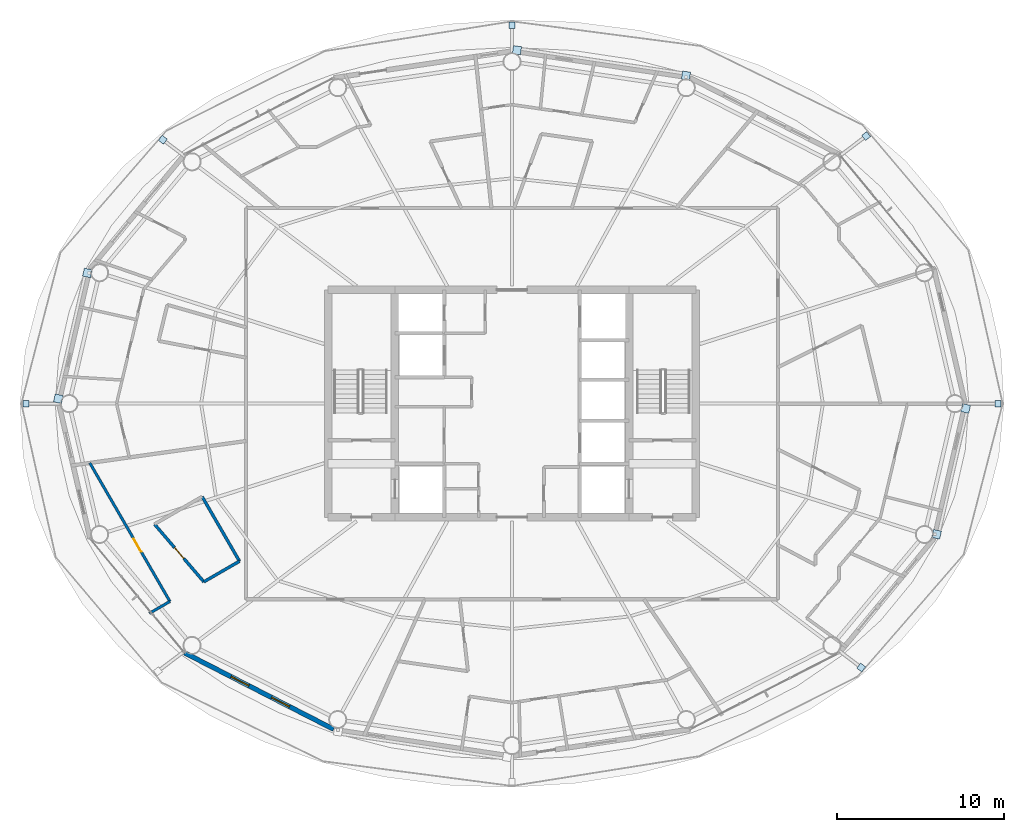
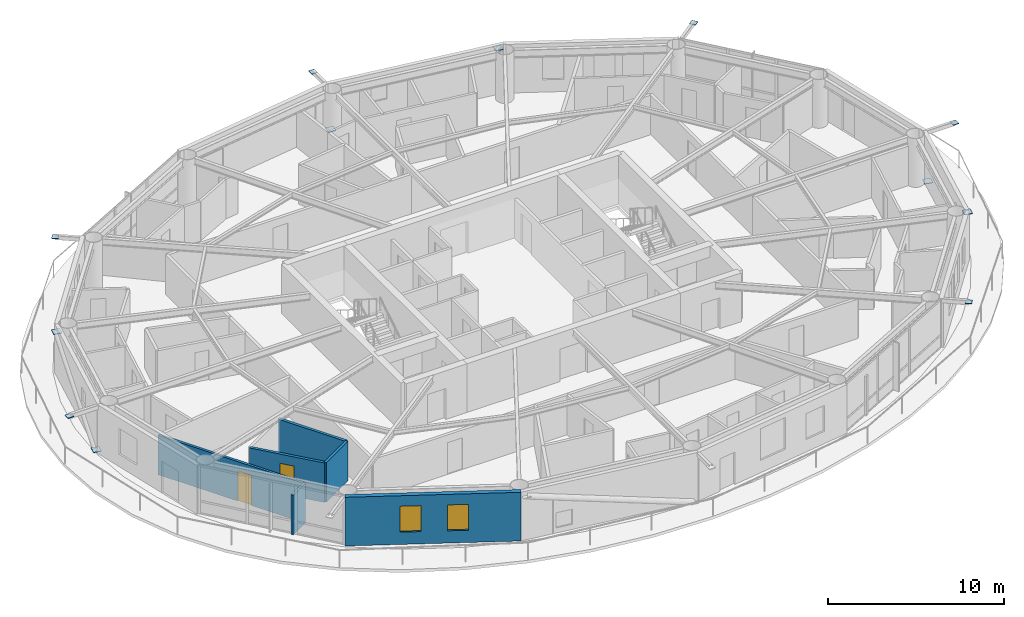
# One storey, part 19 of 28: 12 plates, 6 walls, 2 doors, 2 windows, 4 openings.
"""IFC4 building model written with IfcOpenShell, lengths in metres."""

from ifc_helpers import new_model, si_unit, direction, frame, frame_2d, origin, origin_2d, place, context, subcontext, project, spatial, rectangle, extrude, material, layer, layer_set, type_object, element, fill, save


model = new_model("IFC4")

# Units and contexts
model_context = context("Model", 3, precision=1e-05, world=origin(), true_north=direction((0.0, 1.0)))
body_context = subcontext(model_context, "Body", "Model", "MODEL_VIEW")
ifc_project = project(units=[si_unit("LENGTHUNIT", "METRE"), si_unit("AREAUNIT", "SQUARE_METRE"), si_unit("VOLUMEUNIT", "CUBIC_METRE"), si_unit("PLANEANGLEUNIT", "RADIAN"), si_unit("MASSUNIT", "GRAM", prefix="KILO")], contexts=[model_context])

# Site, building, storey
site_placement = place(None, origin())
site = spatial("IfcSite", under=ifc_project, at=site_placement, CompositionType="ELEMENT")
building_placement = place(site_placement, origin())
building = spatial("IfcBuilding", under=site, at=building_placement, Name="Sarneth Arch Tower", CompositionType="ELEMENT")
storey_placement = place(building_placement, frame((0.0, 0.0, 172.199951171875)))
storey = spatial("IfcBuildingStorey", under=building, at=storey_placement, Name="L43", CompositionType="ELEMENT", Elevation=172.199951171875)

# Plates
ifc_material_1 = material(Name="Steel S355", Category="steel")
ifc_layer_1 = layer(ifc_material_1, 0.035888671875)
ifc_layer_set_1 = layer_set([ifc_layer_1], Name="Steel S355")
plate_type = type_object("IfcPlateType", Name="PLT-GUSSET-30", PredefinedType="SHEET", material=ifc_layer_set_1)
for number, where, z_axis, x_axis, name in (
    (1, (77.06640625, 42.0, 3.2021484375), (0.0, 0.0, 1.0), (1.0, 0.0, 0.0), "Steel end cap plate GP-1"),
    (2, (69.17529296875, 58.003173828125, 3.2021484375), (0.0, 0.0, 1.0), (0.797794439539, 0.602929541689, 0.0), "Steel end cap plate GP-1"),
):
    element("IfcPlate", number, at=place(storey_placement, frame(where, z_axis=z_axis, x_axis=x_axis)), inside=storey, type_object=plate_type, Name=name, PredefinedType="SHEET", context=body_context, shape_type="SweptSolid", body=[
        extrude(rectangle(XDim=0.3798828125, YDim=0.3798828125, at=origin_2d()), origin(), (0.0, 0.0, 1.0), 0.035888671875),
    ])
for number, where, z_axis, x_axis, name in (
    (3, (48.296630859375, 63.13525390625, 0.001953125), (0.0, 0.0, 1.0), (-0.98883454203, 0.149017611339, 0.0), "Steel end cap plate GP-1"),
    (4, (58.404296875, 61.612548828125, 3.03271484375), (0.0, 0.0, 1.0), (-0.98883454203, 0.149017611339, 0.0), "Steel end cap plate GP-1"),
):
    element("IfcPlate", number, at=place(storey_placement, frame(where, z_axis=z_axis, x_axis=x_axis)), inside=storey, type_object=plate_type, Name=name, PredefinedType="SHEET", context=body_context, shape_type="SweptSolid", body=[
        extrude(rectangle(XDim=0.486083984375, YDim=0.486083984375, at=origin_2d()), origin(), (0.0, 0.0, 1.0), 0.035888671875),
    ])
for number, where, z_axis, x_axis, name in (
    (5, (48.0, 64.62060546875, 3.2021484375), (0.0, 0.0, 1.0), (0.0, 1.0, 0.0), "Steel end cap plate GP-1"),
    (6, (27.1181640625, 57.78125, 3.2021484375), (0.0, 0.0, 1.0), (-0.797794439539, 0.602929541689, 0.0), "Steel end cap plate GP-1"),
):
    element("IfcPlate", number, at=place(storey_placement, frame(where, z_axis=z_axis, x_axis=x_axis)), inside=storey, type_object=plate_type, Name=name, PredefinedType="SHEET", context=body_context, shape_type="SweptSolid", body=[
        extrude(rectangle(XDim=0.3798828125, YDim=0.3798828125, at=origin_2d()), origin(), (0.0, 0.0, 1.0), 0.035888671875),
    ])
for number, where, z_axis, x_axis, name in (
    (7, (20.87109375, 42.292236328125, 0.001953125), (0.0, 0.0, 1.0), (-0.225291159947, -0.974291482694, 0.0), "Steel end cap plate GP-1"),
    (8, (22.609619140625, 49.81298828125, 3.03271484375), (0.0, 0.0, 1.0), (-0.225291159947, -0.974291482694, 0.0), "Steel end cap plate GP-1"),
):
    element("IfcPlate", number, at=place(storey_placement, frame(where, z_axis=z_axis, x_axis=x_axis)), inside=storey, type_object=plate_type, Name=name, PredefinedType="SHEET", context=body_context, shape_type="SweptSolid", body=[
        extrude(rectangle(XDim=0.486083984375, YDim=0.486083984375, at=origin_2d()), origin(), (0.0, 0.0, 1.0), 0.035888671875),
    ])
for number, where, z_axis, x_axis, name in (
    (9, (18.93359375, 42.0, 3.2021484375), (0.0, 0.0, 1.0), (-1.0, 0.0, 0.0), "Steel end cap plate GP-1"),
    (10, (68.8818359375, 26.21875, 3.2021484375), (0.0, 0.0, 1.0), (0.797794439539, -0.602929541689, 0.0), "Steel end cap plate GP-1"),
):
    element("IfcPlate", number, at=place(storey_placement, frame(where, z_axis=z_axis, x_axis=x_axis)), inside=storey, type_object=plate_type, Name=name, PredefinedType="SHEET", context=body_context, shape_type="SweptSolid", body=[
        extrude(rectangle(XDim=0.3798828125, YDim=0.3798828125, at=origin_2d()), origin(), (0.0, 0.0, 1.0), 0.035888671875),
    ])
for number, where, z_axis, x_axis, name in (
    (11, (75.12890625, 41.707763671875, 0.001953125), (0.0, 0.0, 1.0), (0.225291159947, 0.974291482694, 0.0), "Steel end cap plate GP-1"),
    (12, (73.390380859375, 34.18701171875, 3.03271484375), (0.0, 0.0, 1.0), (0.225291159947, 0.974291482694, 0.0), "Steel end cap plate GP-1"),
):
    element("IfcPlate", number, at=place(storey_placement, frame(where, z_axis=z_axis, x_axis=x_axis)), inside=storey, type_object=plate_type, Name=name, PredefinedType="SHEET", context=body_context, shape_type="SweptSolid", body=[
        extrude(rectangle(XDim=0.486083984375, YDim=0.486083984375, at=origin_2d()), origin(), (0.0, 0.0, 1.0), 0.035888671875),
    ])

# Wall, openings, windows
ifc_material_2 = material(Name="Extruded terracotta rainscreen on Concrete C40/50 backing", Category="masonry")
ifc_layer_2 = layer(ifc_material_2, 0.280029296875)
ifc_layer_set_2 = layer_set([ifc_layer_2], Name="Extruded terracotta rainscreen on Concrete C40/50 backing")
wall_type_1 = type_object("IfcWallType", Name="WALL-EXT-TERRA-280", PredefinedType="SOLIDWALL", material=ifc_layer_set_2)
wall_1_placement = place(storey_placement, frame((28.423828125, 27.09423828125, 0.0), z_axis=(0.0, 0.0, 1.0), x_axis=(0.889872523182, -0.456209263919, 0.0)))
wall_1 = element("IfcWall", 13, at=wall_1_placement, inside=storey, type_object=wall_type_1, Name="L43 Terracotta perimeter wall 11", PredefinedType="SOLIDWALL", context=body_context, shape_type="SweptSolid", body=[
    extrude(rectangle(XDim=10.016357421875, YDim=0.280029296875, at=frame_2d((5.00830078125, 0.0))), origin(), (0.0, 0.0, 1.0), 3.380126953125),
])
opening_1_placement = place(wall_1_placement, frame((3.115478515625, 0.0, 0.85009765625)))
opening_1 = element("IfcOpeningElement", 14, at=opening_1_placement, cuts=wall_1, Name="Opening W-09", PredefinedType="OPENING", context=body_context, shape_type="SweptSolid", body=[
    extrude(rectangle(XDim=1.199951171875, YDim=1.800048828125, at=frame_2d((0.60009765625, 0.89990234375))), frame((0.0, 0.14990234375, 0.0), z_axis=(0.0, -1.0, 0.0), x_axis=(1.0, 0.0, 0.0)), (0.0, 0.0, 1.0), 0.300048828125),
])
opening_2_placement = place(wall_1_placement, frame((5.84033203125, 0.0, 0.85009765625)))
opening_2 = element("IfcOpeningElement", 15, at=opening_2_placement, cuts=wall_1, Name="Opening W-09", PredefinedType="OPENING", context=body_context, shape_type="SweptSolid", body=[
    extrude(rectangle(XDim=1.199951171875, YDim=1.800048828125, at=frame_2d((0.60009765625, 0.89990234375))), frame((0.0, 0.14990234375, 0.0), z_axis=(0.0, -1.0, 0.0), x_axis=(1.0, 0.0, 0.0)), (0.0, 0.0, 1.0), 0.300048828125),
])
ifc_material_3 = material(Name="Thermally broken Aluminium 6063-T6 and low-e laminated IGU", Category="aluminium")
window_type = type_object("IfcWindowType", Name="WIN-TWR-1200x1800", PartitioningType="SINGLE_PANEL", PredefinedType="WINDOW", material=ifc_material_3)
window_1_placement = place(opening_1_placement, origin())
window_1 = element("IfcWindow", 16, at=window_1_placement, inside=storey, type_object=window_type, Name="L43 Exterior window 11A", OverallHeight=1.800048828125, OverallWidth=1.199951171875, PartitioningType="SINGLE_PANEL", PredefinedType="WINDOW", context=body_context, shape_type="SweptSolid", body=[
    extrude(rectangle(XDim=1.199951171875, YDim=1.800048828125, at=frame_2d((0.60009765625, 0.89990234375))), frame((0.0, 0.030029296875, 0.0), z_axis=(0.0, -1.0, 0.0), x_axis=(1.0, 0.0, 0.0)), (0.0, 0.0, 1.0), 0.06005859375),
])
fill(opening_1, window_1)
window_2_placement = place(opening_2_placement, origin())
window_2 = element("IfcWindow", 17, at=window_2_placement, inside=storey, type_object=window_type, Name="L43 Exterior window 11B", OverallHeight=1.800048828125, OverallWidth=1.199951171875, PartitioningType="SINGLE_PANEL", PredefinedType="WINDOW", context=body_context, shape_type="SweptSolid", body=[
    extrude(rectangle(XDim=1.199951171875, YDim=1.800048828125, at=frame_2d((0.60009765625, 0.89990234375))), frame((0.0, 0.030029296875, 0.0), z_axis=(0.0, -1.0, 0.0), x_axis=(1.0, 0.0, 0.0)), (0.0, 0.0, 1.0), 0.06005859375),
])
fill(opening_2, window_2)

# Wall, opening, door
ifc_material_4 = material(Name="Kitchen wet service chase wall", Category="gypsum")
ifc_layer_3 = layer(ifc_material_4, 0.159912109375)
ifc_layer_set_3 = layer_set([ifc_layer_3], Name="Kitchen wet service chase wall")
wall_type_2 = type_object("IfcWallType", Name="WALL-PLUMB-160", PredefinedType="PLUMBINGWALL", material=ifc_layer_set_3)
wall_2_placement = place(storey_placement, frame((22.75341796875, 38.451904296875, 0.0), z_axis=(0.0, 0.0, 1.0), x_axis=(0.500584533727, -0.865687659952, 0.0)))
wall_2 = element("IfcWall", 18, at=wall_2_placement, inside=storey, type_object=wall_type_2, Name="L43 Interior partition W-L43-TP-081", PredefinedType="PLUMBINGWALL", context=body_context, shape_type="SweptSolid", body=[
    extrude(rectangle(XDim=9.56689453125, YDim=0.159912109375, at=frame_2d((4.783447265625, 0.0))), origin(), (0.0, 0.0, 1.0), 2.739990234375),
])
opening_3_placement = place(wall_2_placement, frame((5.2333984375, 0.0, 0.0)))
opening_3 = element("IfcOpeningElement", 19, at=opening_3_placement, cuts=wall_2, Name="Opening ID-01", PredefinedType="OPENING", context=body_context, shape_type="SweptSolid", body=[
    extrude(rectangle(XDim=0.89990234375, YDim=2.10009765625, at=frame_2d((0.449951171875, 1.050048828125))), frame((0.0, 0.08984375, 0.0), z_axis=(0.0, -1.0, 0.0), x_axis=(1.0, 0.0, 0.0)), (0.0, 0.0, 1.0), 0.179931640625),
])
ifc_material_5 = material(Name="Engineered hardwood flush door", Category="wood")
door_type_1 = type_object("IfcDoorType", Name="DR-INT-900", OperationType="SINGLE_SWING_LEFT", PredefinedType="DOOR", material=ifc_material_5)
door_1_placement = place(opening_3_placement, origin())
door_1 = element("IfcDoor", 20, at=door_1_placement, inside=storey, type_object=door_type_1, Name="L43 Interior door DR-L43-U5-KIT", OperationType="SINGLE_SWING_LEFT", OverallHeight=2.10009765625, OverallWidth=0.89990234375, PredefinedType="DOOR", context=body_context, shape_type="SweptSolid", body=[
    extrude(rectangle(XDim=0.89990234375, YDim=2.10009765625, at=frame_2d((0.449951171875, 1.050048828125))), frame((0.0, 0.02490234375, 0.0), z_axis=(0.0, -1.0, 0.0), x_axis=(1.0, 0.0, 0.0)), (0.0, 0.0, 1.0), 0.050048828125),
])
fill(opening_3, door_1)

# Wall
wall_3_placement = place(storey_placement, frame((27.54248046875, 30.169921875, 0.0), z_axis=(0.0, 0.0, 1.0), x_axis=(-0.865626475351, -0.500690328617, 0.0)))
element("IfcWall", 21, at=wall_3_placement, inside=storey, type_object=wall_type_2, Name="L43 Interior partition W-L43-TP-082", PredefinedType="PLUMBINGWALL", context=body_context, shape_type="SweptSolid", body=[
    extrude(rectangle(XDim=1.4189453125, YDim=0.159912109375, at=frame_2d((0.70947265625, 0.0))), origin(), (0.0, 0.0, 1.0), 2.739990234375),
])

# Wall, opening, door
ifc_material_6 = material(Name="Moisture-resistant plumbing chase wall", Category="gypsum")
ifc_layer_4 = layer(ifc_material_6, 0.179931640625)
ifc_layer_set_4 = layer_set([ifc_layer_4], Name="Moisture-resistant plumbing chase wall")
wall_type_3 = type_object("IfcWallType", Name="WALL-PLUMB-180", PredefinedType="PLUMBINGWALL", material=ifc_layer_set_4)
wall_4_placement = place(storey_placement, frame((26.619873046875, 34.790283203125, 0.0), z_axis=(0.0, 0.0, 1.0), x_axis=(0.650507788654, -0.759499583213, 0.0)))
wall_4 = element("IfcWall", 22, at=wall_4_placement, inside=storey, type_object=wall_type_3, Name="L43 Interior partition W-L43-TP-080", PredefinedType="PLUMBINGWALL", context=body_context, shape_type="SweptSolid", body=[
    extrude(rectangle(XDim=4.538330078125, YDim=0.179931640625, at=frame_2d((2.26904296875, 0.0))), origin(), (0.0, 0.0, 1.0), 2.739990234375),
])
opening_4_placement = place(wall_4_placement, frame((1.84423828125, 0.0, 0.0)))
opening_4 = element("IfcOpeningElement", 23, at=opening_4_placement, cuts=wall_4, Name="Opening ID-02", PredefinedType="OPENING", context=body_context, shape_type="SweptSolid", body=[
    extrude(rectangle(XDim=0.85009765625, YDim=2.10009765625, at=frame_2d((0.425048828125, 1.050048828125))), frame((0.0, 0.099853515625, 0.0), z_axis=(0.0, -1.0, 0.0), x_axis=(1.0, 0.0, 0.0)), (0.0, 0.0, 1.0), 0.199951171875),
])
ifc_material_7 = material(Name="Moisture-resistant bathroom timber door", Category="wood")
door_type_2 = type_object("IfcDoorType", Name="DR-INT-850", OperationType="SINGLE_SWING_RIGHT", PredefinedType="DOOR", material=ifc_material_7)
door_2_placement = place(opening_4_placement, origin())
door_2 = element("IfcDoor", 24, at=door_2_placement, inside=storey, type_object=door_type_2, Name="L43 Interior door DR-L43-U5-BATH", OperationType="SINGLE_SWING_LEFT", OverallHeight=2.10009765625, OverallWidth=0.85009765625, PredefinedType="DOOR", context=body_context, shape_type="SweptSolid", body=[
    extrude(rectangle(XDim=0.85009765625, YDim=2.10009765625, at=frame_2d((0.425048828125, 1.050048828125))), frame((0.0, 0.02490234375, 0.0), z_axis=(0.0, -1.0, 0.0), x_axis=(1.0, 0.0, 0.0)), (0.0, 0.0, 1.0), 0.050048828125),
])
fill(opening_4, door_2)

# Walls
wall_5_placement = place(storey_placement, frame((31.703125, 32.57568359375, 0.0), z_axis=(0.0, 0.0, 1.0), x_axis=(-0.500604830324, 0.865675923112, 0.0)))
element("IfcWall", 25, at=wall_5_placement, inside=storey, type_object=wall_type_3, Name="L43 Interior partition W-L43-TP-078", PredefinedType="PLUMBINGWALL", context=body_context, shape_type="SweptSolid", body=[
    extrude(rectangle(XDim=4.4619140625, YDim=0.179931640625, at=frame_2d((2.23095703125, 0.0))), origin(), (0.0, 0.0, 1.0), 2.739990234375),
])
wall_6_placement = place(storey_placement, frame((29.572021484375, 31.343505859375, 0.0), z_axis=(0.0, 0.0, 1.0), x_axis=(0.865711329059, 0.500543599239, 0.0)))
element("IfcWall", 26, at=wall_6_placement, inside=storey, type_object=wall_type_3, Name="L43 Interior partition W-L43-TP-077", PredefinedType="PLUMBINGWALL", context=body_context, shape_type="SweptSolid", body=[
    extrude(rectangle(XDim=2.461669921875, YDim=0.179931640625, at=frame_2d((1.23095703125, 0.0))), origin(), (0.0, 0.0, 1.0), 2.739990234375),
])

save(model, "model.ifc")
